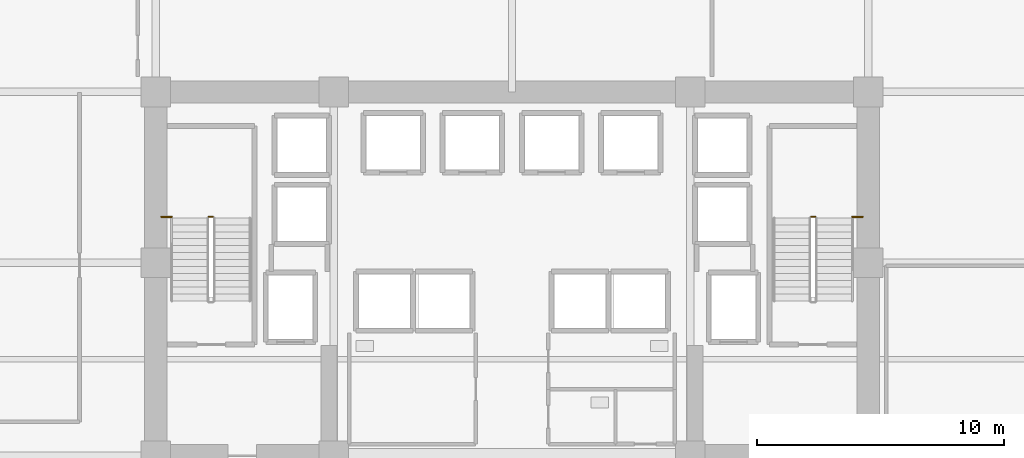
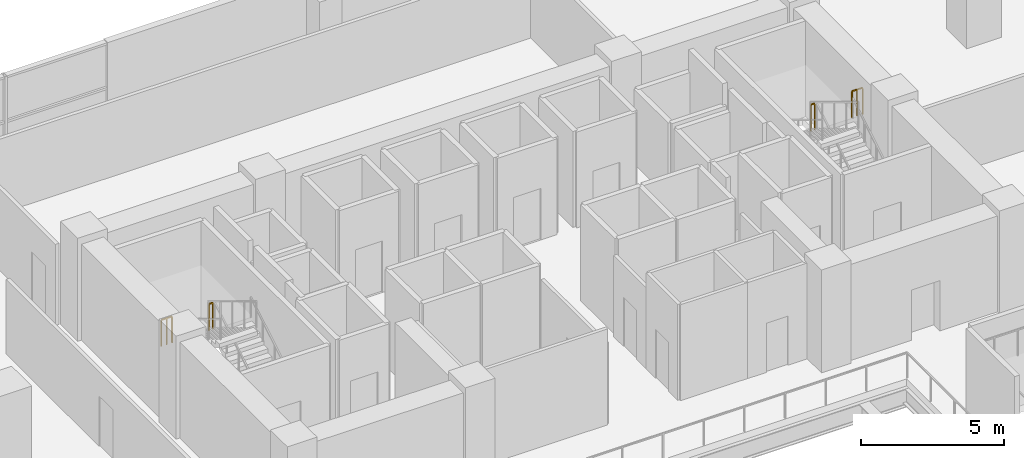
# One storey, part 21 of 23: 4 railings.
"""IFC4 building model written with IfcOpenShell, lengths in metres."""

from ifc_helpers import new_model, si_unit, direction, frame, origin, origin_2d, place, context, subcontext, project, spatial, rectangle, extrude, material, type_object, element, save


model = new_model("IFC4")

# Units and contexts
model_context = context("Model", 3, precision=1e-05, world=origin(), true_north=direction((0.0, 1.0)))
body_context = subcontext(model_context, "Body", "Model", "MODEL_VIEW")
ifc_project = project(units=[si_unit("LENGTHUNIT", "METRE"), si_unit("AREAUNIT", "SQUARE_METRE"), si_unit("VOLUMEUNIT", "CUBIC_METRE"), si_unit("PLANEANGLEUNIT", "RADIAN"), si_unit("MASSUNIT", "GRAM", prefix="KILO")], contexts=[model_context])

# Site, building, storey
site_placement = place(None, origin())
site = spatial("IfcSite", under=ifc_project, at=site_placement, CompositionType="ELEMENT")
building_placement = place(site_placement, origin())
building = spatial("IfcBuilding", under=site, at=building_placement, Name="Zarnakvel Exchange Tower", CompositionType="ELEMENT")
storey_placement = place(building_placement, frame((0.0, 0.0, 13.800048828125)))
storey = spatial("IfcBuildingStorey", under=building, at=storey_placement, Name="L03", CompositionType="ELEMENT", Elevation=13.800048828125)

# Railings
ifc_material = material(Name="Architectural Bronze Anodised Aluminium", Category="aluminium")
railing_type = type_object("IfcRailingType", Name="SG-01", PredefinedType="GUARDRAIL", material=ifc_material)
railing_1_placement = place(storey_placement, frame((-12.090087890625, 8.4599609375, 2.199951171875)))
element("IfcRailing", 1, at=railing_1_placement, inside=storey, type_object=railing_type, Name="L03 ST-01 stair guard 2", PredefinedType="GUARDRAIL", context=body_context, shape_type="SweptSolid", body=[
    extrude(rectangle(XDim=0.048095703125, YDim=0.048095703125, at=origin_2d()), frame((0.0, 0.0, 1.1259765625), z_axis=(-1.0, 0.0, 0.0), x_axis=(0.0, -1.0, 0.0)), (0.0, 0.0, 1.0), 0.159912109375),
    extrude(rectangle(XDim=0.0419921875, YDim=0.0419921875, at=origin_2d()), origin(), (0.0, 0.0, 1.0), 1.101806640625),
    extrude(rectangle(XDim=0.0419921875, YDim=0.0419921875, at=origin_2d()), frame((-0.159912109375, 0.0, 0.0)), (0.0, 0.0, 1.0), 1.101806640625),
])
railing_2_placement = place(storey_placement, frame((-14.179931640625, 8.449951171875, 2.199951171875)))
element("IfcRailing", 2, at=railing_2_placement, inside=storey, type_object=railing_type, Name="L03 ST-01 Landing Slot Guardrail", PredefinedType="GUARDRAIL", context=body_context, shape_type="SweptSolid", body=[
    extrude(rectangle(XDim=0.048095703125, YDim=0.048095703125, at=origin_2d()), frame((0.0, 0.0, 1.1259765625), z_axis=(1.0, 0.0, 0.0), x_axis=(0.0, 1.0, 0.0)), (0.0, 0.0, 1.0), 0.429931640625),
    extrude(rectangle(XDim=0.0419921875, YDim=0.0419921875, at=origin_2d()), origin(), (0.0, 0.0, 1.0), 1.101806640625),
    extrude(rectangle(XDim=0.0419921875, YDim=0.0419921875, at=origin_2d()), frame((0.21484375, 0.0, 0.0)), (0.0, 0.0, 1.0), 1.101806640625),
    extrude(rectangle(XDim=0.0419921875, YDim=0.0419921875, at=origin_2d()), frame((0.429931640625, 0.0, 0.0)), (0.0, 0.0, 1.0), 1.101806640625),
])
railing_3_placement = place(storey_placement, frame((12.25, 8.4599609375, 2.199951171875)))
element("IfcRailing", 3, at=railing_3_placement, inside=storey, type_object=railing_type, Name="L03 ST-02 stair guard 2", PredefinedType="GUARDRAIL", context=body_context, shape_type="SweptSolid", body=[
    extrude(rectangle(XDim=0.048095703125, YDim=0.048095703125, at=origin_2d()), frame((0.0, 0.0, 1.1259765625), z_axis=(-1.0, 0.0, 0.0), x_axis=(0.0, -1.0, 0.0)), (0.0, 0.0, 1.0), 0.159912109375),
    extrude(rectangle(XDim=0.0419921875, YDim=0.0419921875, at=origin_2d()), origin(), (0.0, 0.0, 1.0), 1.101806640625),
    extrude(rectangle(XDim=0.0419921875, YDim=0.0419921875, at=origin_2d()), frame((-0.159912109375, 0.0, 0.0)), (0.0, 0.0, 1.0), 1.101806640625),
])
railing_4_placement = place(storey_placement, frame((13.75, 8.449951171875, 2.199951171875)))
element("IfcRailing", 4, at=railing_4_placement, inside=storey, type_object=railing_type, Name="L03 ST-02 Landing Slot Guardrail", PredefinedType="GUARDRAIL", context=body_context, shape_type="SweptSolid", body=[
    extrude(rectangle(XDim=0.048095703125, YDim=0.048095703125, at=origin_2d()), frame((0.0, 0.0, 1.1259765625), z_axis=(1.0, 0.0, 0.0), x_axis=(0.0, 1.0, 0.0)), (0.0, 0.0, 1.0), 0.429931640625),
    extrude(rectangle(XDim=0.0419921875, YDim=0.0419921875, at=origin_2d()), origin(), (0.0, 0.0, 1.0), 1.101806640625),
    extrude(rectangle(XDim=0.0419921875, YDim=0.0419921875, at=origin_2d()), frame((0.21484375, 0.0, 0.0)), (0.0, 0.0, 1.0), 1.101806640625),
    extrude(rectangle(XDim=0.0419921875, YDim=0.0419921875, at=origin_2d()), frame((0.429931640625, 0.0, 0.0)), (0.0, 0.0, 1.0), 1.101806640625),
])

save(model, "model.ifc")
